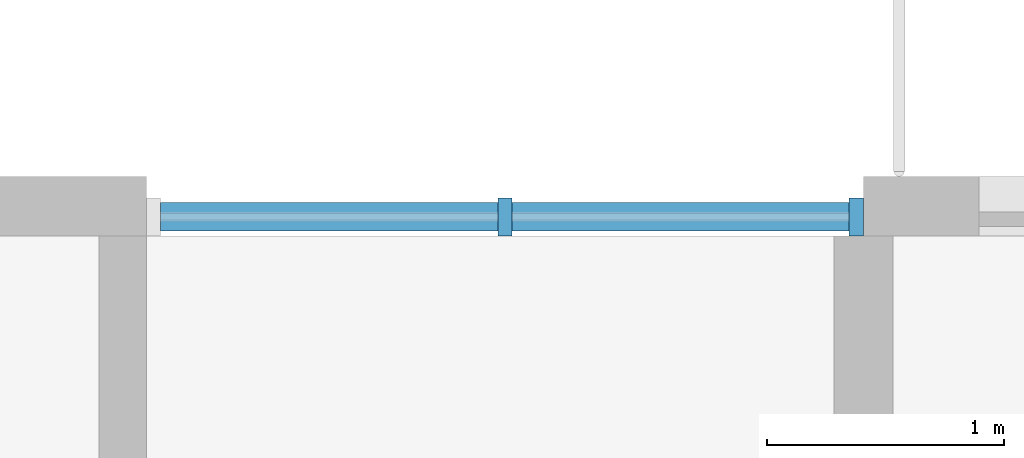
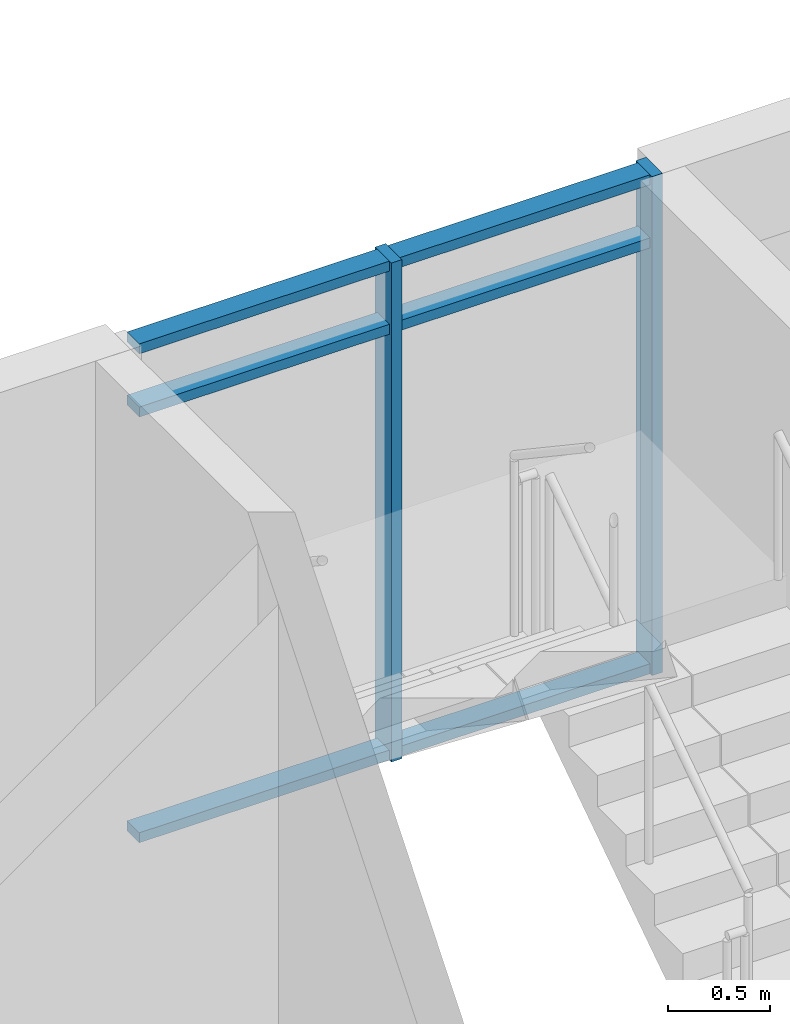
# One storey, part 21 of 93: 8 members, 1 element without a shape of its own.
"""IFC4 building model written with IfcOpenShell, lengths in metres."""

import ifcopenshell
import ifcopenshell.guid

model = None  # the IFC model being written
_history = None  # IfcOwnerHistory: only IFC2X3 demands one
_inside = {}  # id of a spatial element -> (the spatial element, [elements in it])
_under = {}  # id of a project, library or spatial element -> (it, [spatial elements below it])
_declared = {}  # id of a project -> (the project, [libraries it declares])
_typed = {}  # id of a type object -> (the type object, [elements of that type])
_made_of = {}  # id of a material, layer set ... -> (it, [elements and type objects made of it])


def new_model(schema):
    """Start an empty IFC model of exactly this schema.

    Asked for "IFC4X3", IfcOpenShell would pick the latest addendum, in which some entities
    have other attributes; the version numbers below select the first issue.
    IFC2X3 requires an IfcOwnerHistory on every rooted entity: one is made here for all.
    """
    global model, _history
    if schema == "IFC4X3":
        model = ifcopenshell.file(schema_version=(4, 3, 0, 0))
    else:
        model = ifcopenshell.file(schema=schema)
    _inside.clear()
    _under.clear()
    _declared.clear()
    _typed.clear()
    _made_of.clear()
    _history = None
    if model.schema == "IFC2X3":
        org = make("IfcOrganization", Name="unknown")
        user = make(
            "IfcPersonAndOrganization",
            ThePerson=make("IfcPerson", FamilyName="unknown"),
            TheOrganization=org,
        )
        app = make(
            "IfcApplication",
            ApplicationDeveloper=org,
            Version="unknown",
            ApplicationFullName="unknown",
            ApplicationIdentifier="unknown",
        )
        _history = make(
            "IfcOwnerHistory",
            OwningUser=user,
            OwningApplication=app,
            ChangeAction="ADDED",
            CreationDate=0,
        )
    return model


def make(cls, **values):
    """One entity of the class cls with the attributes given. An attribute that is None is left unset."""
    return model.create_entity(
        cls, **{name: value for name, value in values.items() if value is not None}
    )


def rooted(cls, **values):
    """An entity with a GlobalId (a new one), such as an element, a storey or a relation."""
    return make(cls, GlobalId=ifcopenshell.guid.new(), OwnerHistory=_history, **values)


def si_unit(unit_type, name, prefix=None):
    """IfcSIUnit, for example si_unit("LENGTHUNIT", "METRE", prefix="MILLI")."""
    return make("IfcSIUnit", UnitType=unit_type, Prefix=prefix, Name=name)


def assignment(units):
    """IfcUnitAssignment: the units of a project."""
    return None if units is None else make("IfcUnitAssignment", Units=units)


def point(xyz):
    """IfcCartesianPoint."""
    return None if xyz is None else make("IfcCartesianPoint", Coordinates=xyz)


def direction(xyz):
    """IfcDirection."""
    return None if xyz is None else make("IfcDirection", DirectionRatios=xyz)


def frame(location, z_axis=None, x_axis=None):
    """IfcAxis2Placement3D, a coordinate frame: its origin and axes. An axis left out is left unset."""
    return make(
        "IfcAxis2Placement3D",
        Location=point(location),
        Axis=direction(z_axis),
        RefDirection=direction(x_axis),
    )


def frame_2d(location, x_axis=None):
    """IfcAxis2Placement2D, a coordinate frame in the plane: its origin and x axis."""
    return make(
        "IfcAxis2Placement2D", Location=point(location), RefDirection=direction(x_axis)
    )


def origin():
    """The frame at (0, 0, 0) with its axes left unset."""
    return frame((0.0, 0.0, 0.0))


def origin_2d():
    """The frame at (0, 0) in the plane with its x axis left unset."""
    return frame_2d((0.0, 0.0))


def place(relative_to, where):
    """IfcLocalPlacement: puts the frame where relative to a parent placement (None: the world)."""
    return make(
        "IfcLocalPlacement", PlacementRelTo=relative_to, RelativePlacement=where
    )


def context(
    kind, dimensions, precision=None, world=None, true_north=None, identifier=None
):
    """IfcGeometricRepresentationContext, for example the 3D "Model" context."""
    return make(
        "IfcGeometricRepresentationContext",
        ContextIdentifier=identifier,
        ContextType=kind,
        CoordinateSpaceDimension=dimensions,
        Precision=precision,
        WorldCoordinateSystem=world,
        TrueNorth=true_north,
    )


def subcontext(parent, identifier, kind, view, scale=None):
    """IfcGeometricRepresentationSubContext, for example "Body" below "Model"."""
    return make(
        "IfcGeometricRepresentationSubContext",
        ContextIdentifier=identifier,
        ContextType=kind,
        ParentContext=parent,
        TargetScale=scale,
        TargetView=view,
    )


def project(units=None, contexts=None):
    """IfcProject with its units and contexts."""
    return rooted(
        "IfcProject",
        Name="project",
        RepresentationContexts=contexts,
        UnitsInContext=assignment(units),
    )


def spatial(cls, under=None, at=None, **own):
    """A site, building, storey or space (cls), placed at a placement, below another one or the project."""
    s = rooted(cls, ObjectPlacement=at, **own)
    if under is not None:
        _under.setdefault(under.id(), (under, []))[1].append(s)
    return s


def profile(cls, at=None, kind="AREA", **sizes):
    """A parametric profile (cls). Its sizes go by their IFC names, for example OverallWidth=200.0."""
    return make(cls, ProfileType=kind, Position=at, **sizes)


def rectangle(**sizes):
    """IfcRectangleProfileDef."""
    return profile("IfcRectangleProfileDef", **sizes)


def extrude(swept, where, along, depth):
    """IfcExtrudedAreaSolid: the profile swept, set in the frame where, extruded along a direction by depth."""
    return make(
        "IfcExtrudedAreaSolid",
        SweptArea=swept,
        Position=where,
        ExtrudedDirection=direction(along),
        Depth=depth,
    )


def shape(context_of_items, identifier, shape_type, items):
    """IfcShapeRepresentation: the items that make up one representation, for example the "Body"."""
    return make(
        "IfcShapeRepresentation",
        ContextOfItems=context_of_items,
        RepresentationIdentifier=identifier,
        RepresentationType=shape_type,
        Items=items,
    )


def material(Name=None, Category=None):
    """IfcMaterial."""
    return make("IfcMaterial", Name=Name, Category=Category)


def material_profile(
    of_material, cross_section, Name=None, Category=None, Priority=None
):
    """IfcMaterialProfile: a cross section and its material."""
    return make(
        "IfcMaterialProfile",
        Name=Name,
        Material=of_material,
        Profile=cross_section,
        Priority=Priority,
        Category=Category,
    )


def profile_set(profiles, Name=None, composite=None):
    """IfcMaterialProfileSet."""
    return make(
        "IfcMaterialProfileSet",
        Name=Name,
        MaterialProfiles=profiles,
        CompositeProfile=composite,
    )


def made_of(thing, what):
    """Note that an element or type object is made of a material, layer set ...; save() writes the relation."""
    if what is not None:
        _made_of.setdefault(what.id(), (what, []))[1].append(thing)
    return thing


def type_object(cls, material=None, **own):
    """A type object (cls), such as IfcWallType, which elements share."""
    return made_of(rooted(cls, **own), material)


def element(
    cls,
    number,
    at=None,
    inside=None,
    cuts=None,
    type_object=None,
    material=None,
    context=None,
    identifier="Body",
    shape_type=None,
    held_by="IfcProductDefinitionShape",
    body=None,
    shapes=None,
    **own,
):
    """One element of the class cls, such as IfcWall. Its Tag is "e" and its number.

    at: its placement. inside: the storey or other place that contains it. cuts: it is an
    opening in that element (IfcRelVoidsElement). A single representation is given by context,
    identifier, shape_type and body (its items); several are given by shapes. held_by: the class
    of the entity that holds the representations. save() writes the other relations.
    """
    e = rooted(cls, Tag="e%d" % number, ObjectPlacement=at, **own)
    if body is not None:
        shapes = [shape(context, identifier, shape_type, body)]
    if shapes is not None:
        e.Representation = make(held_by, Representations=shapes)
    if inside is not None:
        _inside.setdefault(inside.id(), (inside, []))[1].append(e)
    if cuts is not None:
        rooted(
            "IfcRelVoidsElement", RelatingBuildingElement=cuts, RelatedOpeningElement=e
        )
    if type_object is not None:
        _typed.setdefault(type_object.id(), (type_object, []))[1].append(e)
    return made_of(e, material)


def aggregate(whole, parts):
    """IfcRelAggregates: a whole, such as a stair, and the parts it consists of."""
    return rooted("IfcRelAggregates", RelatingObject=whole, RelatedObjects=parts)


def save(model, path):
    """Write the relations noted so far, then the file.

    IfcRelAggregates (storeys below a building ...), IfcRelContainedInSpatialStructure (elements
    in a storey), IfcRelDefinesByType, IfcRelAssociatesMaterial and IfcRelDeclares: one each for
    every whole, place, type object, material and project.
    """
    for whole, parts in _under.values():
        aggregate(whole, parts)
    for where, things in _inside.values():
        rooted(
            "IfcRelContainedInSpatialStructure",
            RelatedElements=things,
            RelatingStructure=where,
        )
    for kind, things in _typed.values():
        rooted("IfcRelDefinesByType", RelatedObjects=things, RelatingType=kind)
    for what, things in _made_of.values():
        rooted("IfcRelAssociatesMaterial", RelatedObjects=things, RelatingMaterial=what)
    for by, libraries in _declared.values():
        rooted("IfcRelDeclares", RelatingContext=by, RelatedDefinitions=libraries)
    model.write(path)


model = new_model("IFC4")

# Units and contexts
model_context = context("Model", 3, precision=1e-05, world=origin(), true_north=direction((0.0, 1.0)))
body_context = subcontext(model_context, "Body", "Model", "MODEL_VIEW")
ifc_project = project(units=[si_unit("LENGTHUNIT", "METRE"), si_unit("AREAUNIT", "SQUARE_METRE"), si_unit("VOLUMEUNIT", "CUBIC_METRE"), si_unit("PLANEANGLEUNIT", "RADIAN"), si_unit("MASSUNIT", "GRAM", prefix="KILO")], contexts=[model_context])

# Site, building, storey
site_placement = place(None, origin())
site = spatial("IfcSite", under=ifc_project, at=site_placement, CompositionType="ELEMENT")
building_placement = place(site_placement, origin())
building = spatial("IfcBuilding", under=site, at=building_placement, Name="Ridgestep Commons", CompositionType="ELEMENT")
storey_placement = place(building_placement, frame((0.0, 0.0, 18.0)))
storey = spatial("IfcBuildingStorey", under=building, at=storey_placement, Name="L06", CompositionType="ELEMENT", Elevation=18.0)

# Curtain wall, members
ifc_material_1 = material(Name="Aluminium 6063-T6 and glass", Category="aluminium")
curtain_wall_type = type_object("IfcCurtainWallType", Name="Curtain wall stair strip", PredefinedType="NOTDEFINED", material=ifc_material_1)
curtain_wall_placement = place(storey_placement, origin())
curtain_wall = element("IfcCurtainWall", 1, at=curtain_wall_placement, inside=storey, type_object=curtain_wall_type, Name="Curtain wall C6C level 06", PredefinedType="NOTDEFINED")
ifc_material_2 = material(Name="Aluminium 6063-T6", Category="aluminium")
ifc_material_profile_1 = material_profile(ifc_material_2, rectangle(XDim=0.159912109375, YDim=0.06005859375, at=origin_2d()), Name="Mullion 60 x 160")
ifc_profile_set_1 = profile_set([ifc_material_profile_1], Name="Aluminium 6063-T6")
member_type_1 = type_object("IfcMemberType", Name="Mullion 60 x 160", PredefinedType="MULLION", material=ifc_profile_set_1)
member_1_placement = place(storey_placement, frame((235.28759765625, 77.080078125, 0.0), z_axis=(0.0, 0.0, 1.0), x_axis=(0.0, 1.0, 0.0)))
member_1 = element("IfcMember", 2, at=member_1_placement, type_object=member_type_1, Name="CW1 mullion 2", PredefinedType="MULLION", context=body_context, shape_type="SweptSolid", body=[
    extrude(rectangle(XDim=0.159912109375, YDim=0.06005859375, at=origin_2d()), origin(), (0.0, 0.0, 1.0), 3.0),
])
member_2_placement = place(storey_placement, frame((236.77001953125, 77.080078125, 0.0), z_axis=(0.0, 0.0, 1.0), x_axis=(0.0, 1.0, 0.0)))
member_2 = element("IfcMember", 3, at=member_2_placement, type_object=member_type_1, Name="CW1 mullion 3", PredefinedType="MULLION", context=body_context, shape_type="SweptSolid", body=[
    extrude(rectangle(XDim=0.159912109375, YDim=0.06005859375, at=origin_2d()), origin(), (0.0, 0.0, 1.0), 3.0),
])
ifc_material_3 = material(Name="Aluminium 6063-T6", Category="aluminium")
ifc_material_profile_2 = material_profile(ifc_material_3, rectangle(XDim=0.1201171875, YDim=0.06005859375, at=origin_2d()), Name="Transom 60 x 120")
ifc_profile_set_2 = profile_set([ifc_material_profile_2], Name="Aluminium 6063-T6")
member_type_2 = type_object("IfcMemberType", Name="Transom 60 x 120", PredefinedType="USERDEFINED", material=ifc_profile_set_2)
member_3_placement = place(storey_placement, frame((233.8349609375, 77.080078125, 0.030029296875), z_axis=(1.0, 0.0, 0.0), x_axis=(0.0, 1.0, 0.0)))
member_3 = element("IfcMember", 4, at=member_3_placement, type_object=member_type_2, Name="CW1 transom 1.1", ObjectType="TRANSOM", PredefinedType="USERDEFINED", context=body_context, shape_type="SweptSolid", body=[
    extrude(rectangle(XDim=0.1201171875, YDim=0.06005859375, at=origin_2d()), origin(), (0.0, 0.0, 1.0), 1.422607421875),
])
member_4_placement = place(storey_placement, frame((233.8349609375, 77.080078125, 2.590087890625), z_axis=(1.0, 0.0, 0.0), x_axis=(0.0, 1.0, 0.0)))
member_4 = element("IfcMember", 5, at=member_4_placement, type_object=member_type_2, Name="CW1 transom 1.2", ObjectType="TRANSOM", PredefinedType="USERDEFINED", context=body_context, shape_type="SweptSolid", body=[
    extrude(rectangle(XDim=0.1201171875, YDim=0.06005859375, at=origin_2d()), origin(), (0.0, 0.0, 1.0), 1.422607421875),
])
member_5_placement = place(storey_placement, frame((233.8349609375, 77.080078125, 2.969970703125), z_axis=(1.0, 0.0, 0.0), x_axis=(0.0, 1.0, 0.0)))
member_5 = element("IfcMember", 6, at=member_5_placement, type_object=member_type_2, Name="CW1 transom 1.3", ObjectType="TRANSOM", PredefinedType="USERDEFINED", context=body_context, shape_type="SweptSolid", body=[
    extrude(rectangle(XDim=0.1201171875, YDim=0.06005859375, at=origin_2d()), origin(), (0.0, 0.0, 1.0), 1.422607421875),
])
member_6_placement = place(storey_placement, frame((235.3173828125, 77.080078125, 0.030029296875), z_axis=(1.0, 0.0, 0.0), x_axis=(0.0, 1.0, 0.0)))
member_6 = element("IfcMember", 7, at=member_6_placement, type_object=member_type_2, Name="CW1 transom 2.1", ObjectType="TRANSOM", PredefinedType="USERDEFINED", context=body_context, shape_type="SweptSolid", body=[
    extrude(rectangle(XDim=0.1201171875, YDim=0.06005859375, at=origin_2d()), origin(), (0.0, 0.0, 1.0), 1.422607421875),
])
member_7_placement = place(storey_placement, frame((235.3173828125, 77.080078125, 2.590087890625), z_axis=(1.0, 0.0, 0.0), x_axis=(0.0, 1.0, 0.0)))
member_7 = element("IfcMember", 8, at=member_7_placement, type_object=member_type_2, Name="CW1 transom 2.2", ObjectType="TRANSOM", PredefinedType="USERDEFINED", context=body_context, shape_type="SweptSolid", body=[
    extrude(rectangle(XDim=0.1201171875, YDim=0.06005859375, at=origin_2d()), origin(), (0.0, 0.0, 1.0), 1.422607421875),
])
member_8_placement = place(storey_placement, frame((235.3173828125, 77.080078125, 2.969970703125), z_axis=(1.0, 0.0, 0.0), x_axis=(0.0, 1.0, 0.0)))
member_8 = element("IfcMember", 9, at=member_8_placement, type_object=member_type_2, Name="CW1 transom 2.3", ObjectType="TRANSOM", PredefinedType="USERDEFINED", context=body_context, shape_type="SweptSolid", body=[
    extrude(rectangle(XDim=0.1201171875, YDim=0.06005859375, at=origin_2d()), origin(), (0.0, 0.0, 1.0), 1.422607421875),
])
aggregate(curtain_wall, [member_1, member_2, member_3, member_4, member_5, member_6, member_7, member_8])

save(model, "model.ifc")
